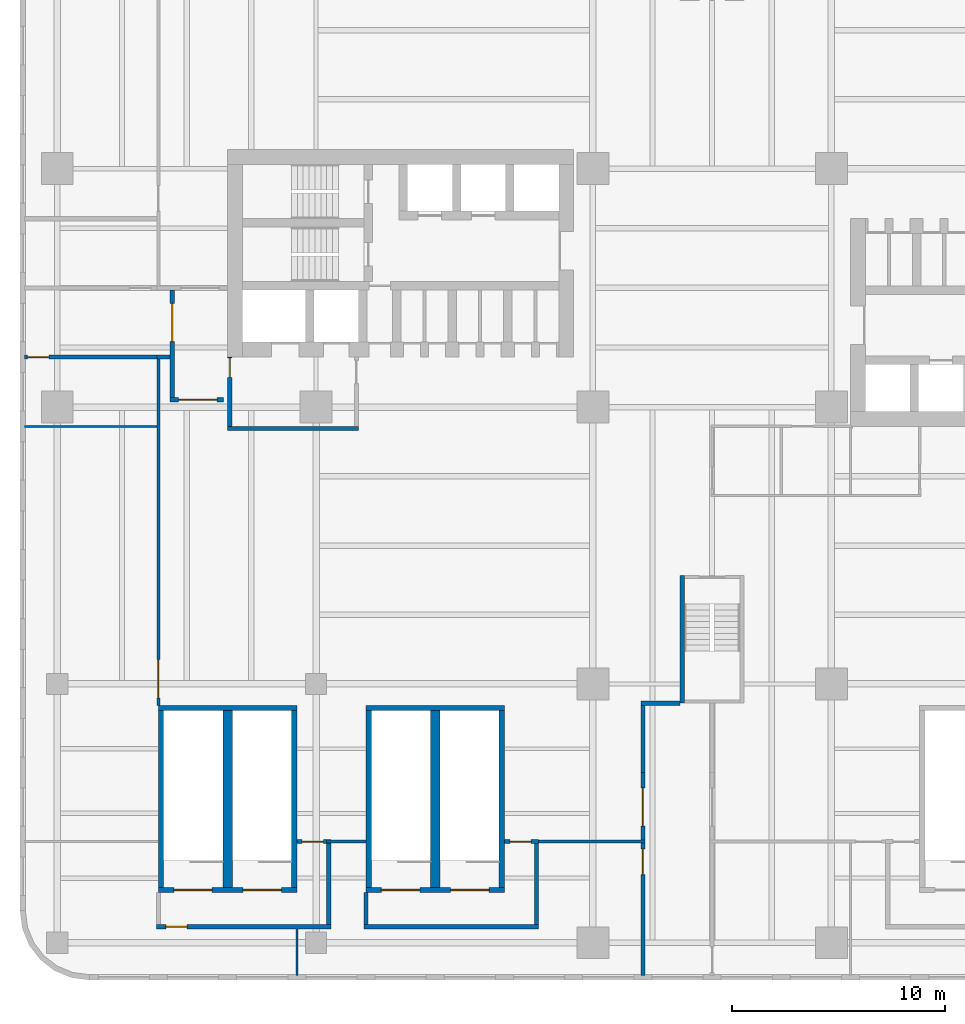
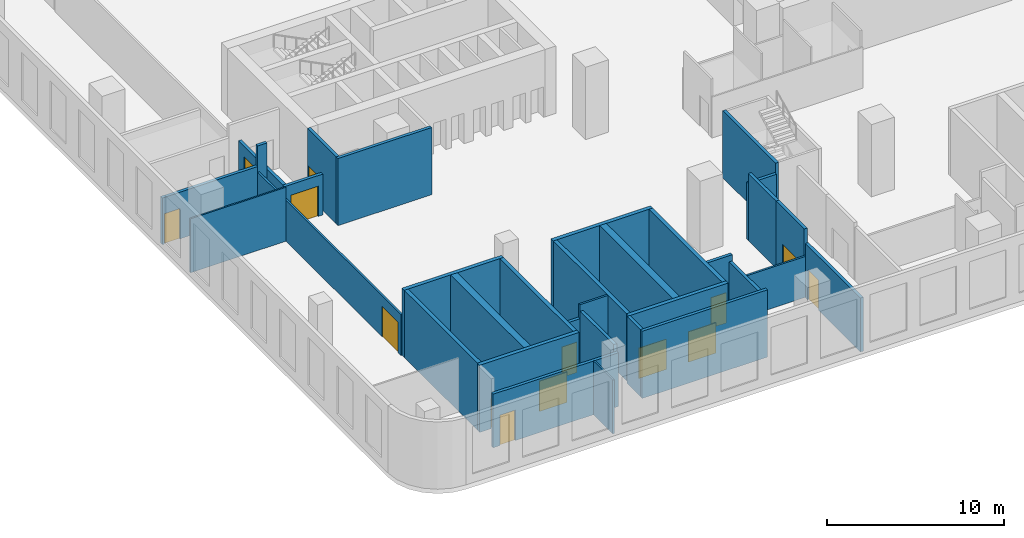
# One storey, part 4 of 13: 33 walls, 14 doors, 14 openings.
"""IFC4 building model written with IfcOpenShell, lengths in metres."""

from ifc_helpers import new_model, si_unit, direction, frame, frame_2d, origin, place, context, subcontext, project, spatial, rectangle, extrude, source, transform, mapped, material, layer, layer_set, type_object, element, fill, save


model = new_model("IFC4")

# Units and contexts
model_context = context("Model", 3, precision=1e-05, world=origin(), true_north=direction((0.0, 1.0)))
body_context = subcontext(model_context, "Body", "Model", "MODEL_VIEW")
ifc_project = project(units=[si_unit("LENGTHUNIT", "METRE"), si_unit("AREAUNIT", "SQUARE_METRE"), si_unit("VOLUMEUNIT", "CUBIC_METRE"), si_unit("PLANEANGLEUNIT", "RADIAN"), si_unit("MASSUNIT", "GRAM", prefix="KILO")], contexts=[model_context])

# Site, building, storey
site_placement = place(None, origin())
site = spatial("IfcSite", under=ifc_project, at=site_placement, CompositionType="ELEMENT")
building_placement = place(site_placement, origin())
building = spatial("IfcBuilding", under=site, at=building_placement, Name="Trellis Farm Tower", CompositionType="ELEMENT")
storey_placement = place(building_placement, frame((0.0, 0.0, 29.0)))
storey = spatial("IfcBuildingStorey", under=building, at=storey_placement, Name="L05", CompositionType="ELEMENT", Elevation=29.0)

# Wall, opening, door
ifc_material_1 = material(Name="Masonry blockwork", Category="masonry")
ifc_layer_1 = layer(ifc_material_1, 0.199951171875)
ifc_layer_set_1 = layer_set([ifc_layer_1], Name="FIRE LOBBY PARTITION 200 BLOCKWORK")
wall_type_1 = type_object("IfcWallType", Name="FIRE LOBBY PARTITION 200 BLOCKWORK", PredefinedType="PARTITIONING", material=ifc_layer_set_1)
shared_shape_1 = source(origin(), body_context, "Body", "SweptSolid", [
    extrude(rectangle(XDim=3.25, YDim=0.199951171875, at=frame_2d((1.625, 0.0))), origin(), (0.0, 0.0, 1.0), 4.64990234375),
])
wall_1_placement = place(storey_placement, frame((-22.64990234375, -3.25, 0.0), z_axis=(0.0, 0.0, 1.0), x_axis=(0.0, -1.0, 0.0)))
wall_1 = element("IfcWall", 1, at=wall_1_placement, inside=storey, type_object=wall_type_1, Name="Fire-fighting lobby partition", PredefinedType="PARTITIONING", context=body_context, shape_type="MappedRepresentation", body=[
    mapped(shared_shape_1, transform((0.0, 0.0, 0.0))),
])
shared_shape_2 = source(origin(), body_context, "Body", "SweptSolid", [
    extrude(rectangle(XDim=0.89990234375, YDim=2.10009765625, at=frame_2d((0.449951171875, 1.050048828125))), frame((0.0, 0.110107421875, 0.0), z_axis=(0.0, -1.0, 0.0), x_axis=(1.0, 0.0, 0.0)), (0.0, 0.0, 1.0), 0.22021484375),
])
opening_1_placement = place(wall_1_placement, frame((0.050048828125, 0.0, 0.0)))
opening_1 = element("IfcOpeningElement", 2, at=opening_1_placement, cuts=wall_1, Name="Opening DC94", PredefinedType="OPENING", context=body_context, shape_type="MappedRepresentation", body=[
    mapped(shared_shape_2, transform((0.0, 0.0, 0.0))),
])
ifc_material_2 = material(Name="Steel", Category="steel")
door_type_1 = type_object("IfcDoorType", Name="CORE FIRE DOOR 900 X 2100", OperationType="NOTDEFINED", PredefinedType="DOOR", material=ifc_material_2)
shared_shape_3 = source(origin(), body_context, "Body", "SweptSolid", [
    extrude(rectangle(XDim=0.89990234375, YDim=2.10009765625, at=frame_2d((0.449951171875, 1.050048828125))), frame((0.0, 0.02490234375, 0.0), z_axis=(0.0, -1.0, 0.0), x_axis=(1.0, 0.0, 0.0)), (0.0, 0.0, 1.0), 0.050048828125),
])
door_1_placement = place(opening_1_placement, origin())
door_1 = element("IfcDoor", 3, at=door_1_placement, inside=storey, type_object=door_type_1, Name="Core door", OperationType="SINGLE_SWING_RIGHT", OverallHeight=2.10009765625, OverallWidth=0.89990234375, PredefinedType="DOOR", context=body_context, shape_type="MappedRepresentation", body=[
    mapped(shared_shape_3, transform((0.0, 0.0, 0.0))),
])
fill(opening_1, door_1)

# Walls
shared_shape_4 = source(origin(), body_context, "Body", "SweptSolid", [
    extrude(rectangle(XDim=6.14990234375, YDim=0.199951171875, at=frame_2d((3.074951171875, 0.0))), origin(), (0.0, 0.0, 1.0), 4.64990234375),
])
wall_2_placement = place(storey_placement, frame((-16.60009765625, -6.60009765625, 0.0), z_axis=(0.0, 0.0, 1.0), x_axis=(-1.0, 0.0, 0.0)))
element("IfcWall", 4, at=wall_2_placement, inside=storey, type_object=wall_type_1, Name="Fire-fighting lobby partition", PredefinedType="PARTITIONING", context=body_context, shape_type="MappedRepresentation", body=[
    mapped(shared_shape_4, transform((0.0, 0.0, 0.0))),
])
ifc_material_3 = material(Name="Concrete C80/95", Category="concrete")
ifc_layer_2 = layer(ifc_material_3, 0.199951171875)
ifc_layer_set_2 = layer_set([ifc_layer_2], Name="CORE STAIR ENCLOSURE WALL 200 CONCRETE C80/95")
wall_type_2 = type_object("IfcWallType", Name="CORE STAIR ENCLOSURE WALL 200 CONCRETE C80/95", PredefinedType="SHEAR", material=ifc_layer_set_2)
shared_shape_5 = source(origin(), body_context, "Body", "SweptSolid", [
    extrude(rectangle(XDim=6.0, YDim=0.199951171875, at=frame_2d((3.0, 0.0))), origin(), (0.0, 0.0, 1.0), 4.64990234375),
])
wall_3_placement = place(storey_placement, frame((-1.39990234375, -13.5, 0.0), z_axis=(0.0, 0.0, 1.0), x_axis=(0.0, -1.0, 0.0)))
element("IfcWall", 5, at=wall_3_placement, inside=storey, type_object=wall_type_2, Name="Stair enclosure wall", PredefinedType="SHEAR", context=body_context, shape_type="MappedRepresentation", body=[
    mapped(shared_shape_5, transform((0.0, 0.0, 0.0))),
])

# Wall, openings, doors
ifc_layer_3 = layer(ifc_material_3, 0.25)
ifc_layer_set_3 = layer_set([ifc_layer_3], Name="CORE STAIR ENCLOSURE WALL 250 CONCRETE C80/95")
wall_type_3 = type_object("IfcWallType", Name="CORE STAIR ENCLOSURE WALL 250 CONCRETE C80/95", PredefinedType="SHEAR", material=ifc_layer_set_3)
shared_shape_6 = source(origin(), body_context, "Body", "SweptSolid", [
    extrude(rectangle(XDim=6.5, YDim=0.25, at=frame_2d((3.25, 0.0))), origin(), (0.0, 0.0, 1.0), 4.64990234375),
])
wall_4_placement = place(storey_placement, frame((-26.0, -28.27490234375, 0.0), z_axis=(0.0, 0.0, 1.0), x_axis=(1.0, 0.0, 0.0)))
wall_4 = element("IfcWall", 6, at=wall_4_placement, inside=storey, type_object=wall_type_3, Name="Podium stair enclosure wall", PredefinedType="SHEAR", context=body_context, shape_type="MappedRepresentation", body=[
    mapped(shared_shape_6, transform((0.0, 0.0, 0.0))),
])
shared_shape_7 = source(origin(), body_context, "Body", "SweptSolid", [
    extrude(rectangle(XDim=1.800048828125, YDim=2.10009765625, at=frame_2d((0.89990234375, 1.050048828125))), frame((0.0, 0.135009765625, 0.0), z_axis=(0.0, -1.0, 0.0), x_axis=(1.0, 0.0, 0.0)), (0.0, 0.0, 1.0), 0.27001953125),
])
opening_2_placement = place(wall_4_placement, frame((0.72509765625, 0.0, 0.0)))
opening_2 = element("IfcOpeningElement", 7, at=opening_2_placement, cuts=wall_4, Name="Opening DP9", PredefinedType="OPENING", context=body_context, shape_type="MappedRepresentation", body=[
    mapped(shared_shape_7, transform((0.0, 0.0, 0.0))),
])
opening_3_placement = place(wall_4_placement, frame((3.97509765625, 0.0, 0.0)))
opening_3 = element("IfcOpeningElement", 8, at=opening_3_placement, cuts=wall_4, Name="Opening DP10", PredefinedType="OPENING", context=body_context, shape_type="MappedRepresentation", body=[
    mapped(shared_shape_7, transform((0.0, 0.0, 0.0))),
])
door_type_2 = type_object("IfcDoorType", Name="CORE FIRE DOOR DOUBLE 1800 X 2100", OperationType="DOUBLE_DOOR_SINGLE_SWING", PredefinedType="DOOR", material=ifc_material_2)
shared_shape_8 = source(origin(), body_context, "Body", "SweptSolid", [
    extrude(rectangle(XDim=1.800048828125, YDim=2.10009765625, at=frame_2d((0.89990234375, 1.050048828125))), frame((0.0, 0.02490234375, 0.0), z_axis=(0.0, -1.0, 0.0), x_axis=(1.0, 0.0, 0.0)), (0.0, 0.0, 1.0), 0.050048828125),
])
door_2_placement = place(opening_2_placement, origin())
door_2 = element("IfcDoor", 9, at=door_2_placement, inside=storey, type_object=door_type_2, Name="Podium stair door", OperationType="DOUBLE_DOOR_SINGLE_SWING", OverallHeight=2.10009765625, OverallWidth=1.800048828125, PredefinedType="DOOR", context=body_context, shape_type="MappedRepresentation", body=[
    mapped(shared_shape_8, transform((0.0, 0.0, 0.0))),
])
fill(opening_2, door_2)
door_3_placement = place(opening_3_placement, origin())
door_3 = element("IfcDoor", 10, at=door_3_placement, inside=storey, type_object=door_type_2, Name="Podium stair door", OperationType="DOUBLE_DOOR_SINGLE_SWING", OverallHeight=2.10009765625, OverallWidth=1.800048828125, PredefinedType="DOOR", context=body_context, shape_type="MappedRepresentation", body=[
    mapped(shared_shape_8, transform((0.0, 0.0, 0.0))),
])
fill(opening_3, door_3)

# Wall
wall_5_placement = place(storey_placement, frame((-26.0, -19.72509765625, 0.0), z_axis=(0.0, 0.0, 1.0), x_axis=(1.0, 0.0, 0.0)))
element("IfcWall", 11, at=wall_5_placement, inside=storey, type_object=wall_type_3, Name="Podium stair enclosure wall", PredefinedType="SHEAR", context=body_context, shape_type="MappedRepresentation", body=[
    mapped(shared_shape_6, transform((0.0, 0.0, 0.0))),
])

# Wall, openings, doors
wall_6_placement = place(storey_placement, frame((-16.25, -28.27490234375, 0.0), z_axis=(0.0, 0.0, 1.0), x_axis=(1.0, 0.0, 0.0)))
wall_6 = element("IfcWall", 12, at=wall_6_placement, inside=storey, type_object=wall_type_3, Name="Podium stair enclosure wall", PredefinedType="SHEAR", context=body_context, shape_type="MappedRepresentation", body=[
    mapped(shared_shape_6, transform((0.0, 0.0, 0.0))),
])
opening_4_placement = place(wall_6_placement, frame((0.72509765625, 0.0, 0.0)))
opening_4 = element("IfcOpeningElement", 13, at=opening_4_placement, cuts=wall_6, Name="Opening DP11", PredefinedType="OPENING", context=body_context, shape_type="MappedRepresentation", body=[
    mapped(shared_shape_7, transform((0.0, 0.0, 0.0))),
])
opening_5_placement = place(wall_6_placement, frame((3.97509765625, 0.0, 0.0)))
opening_5 = element("IfcOpeningElement", 14, at=opening_5_placement, cuts=wall_6, Name="Opening DP12", PredefinedType="OPENING", context=body_context, shape_type="MappedRepresentation", body=[
    mapped(shared_shape_7, transform((0.0, 0.0, 0.0))),
])
door_4_placement = place(opening_4_placement, origin())
door_4 = element("IfcDoor", 15, at=door_4_placement, inside=storey, type_object=door_type_2, Name="Podium stair door", OperationType="DOUBLE_DOOR_SINGLE_SWING", OverallHeight=2.10009765625, OverallWidth=1.800048828125, PredefinedType="DOOR", context=body_context, shape_type="MappedRepresentation", body=[
    mapped(shared_shape_8, transform((0.0, 0.0, 0.0))),
])
fill(opening_4, door_4)
door_5_placement = place(opening_5_placement, origin())
door_5 = element("IfcDoor", 16, at=door_5_placement, inside=storey, type_object=door_type_2, Name="Podium stair door", OperationType="DOUBLE_DOOR_SINGLE_SWING", OverallHeight=2.10009765625, OverallWidth=1.800048828125, PredefinedType="DOOR", context=body_context, shape_type="MappedRepresentation", body=[
    mapped(shared_shape_8, transform((0.0, 0.0, 0.0))),
])
fill(opening_5, door_5)

# Walls
wall_7_placement = place(storey_placement, frame((-16.25, -19.72509765625, 0.0), z_axis=(0.0, 0.0, 1.0), x_axis=(1.0, 0.0, 0.0)))
element("IfcWall", 17, at=wall_7_placement, inside=storey, type_object=wall_type_3, Name="Podium stair enclosure wall", PredefinedType="SHEAR", context=body_context, shape_type="MappedRepresentation", body=[
    mapped(shared_shape_6, transform((0.0, 0.0, 0.0))),
])
shared_shape_9 = source(origin(), body_context, "Body", "SweptSolid", [
    extrude(rectangle(XDim=8.2998046875, YDim=0.25, at=frame_2d((4.14990234375, 0.0))), origin(), (0.0, 0.0, 1.0), 4.64990234375),
])
for number, where, z_axis, x_axis, name in (
    (18, (-25.875, -28.14990234375, 0.0), (0.0, 0.0, 1.0), (0.0, 1.0, 0.0), "Podium stair enclosure wall"),
    (19, (-19.625, -28.14990234375, 0.0), (0.0, 0.0, 1.0), (0.0, 1.0, 0.0), "Podium stair enclosure wall"),
    (20, (-16.125, -28.14990234375, 0.0), (0.0, 0.0, 1.0), (0.0, 1.0, 0.0), "Podium stair enclosure wall"),
    (21, (-9.875, -28.14990234375, 0.0), (0.0, 0.0, 1.0), (0.0, 1.0, 0.0), "Podium stair enclosure wall"),
):
    element("IfcWall", number, at=place(storey_placement, frame(where, z_axis=z_axis, x_axis=x_axis)), inside=storey, type_object=wall_type_3, Name=name, PredefinedType="SHEAR", context=body_context, shape_type="MappedRepresentation", body=[
        mapped(shared_shape_9, transform((0.0, 0.0, 0.0))),
    ])
ifc_layer_4 = layer(ifc_material_3, 0.43994140625)
ifc_layer_set_4 = layer_set([ifc_layer_4], Name="CORE STAIR ENCLOSURE WALL 440 CONCRETE C80/95")
wall_type_4 = type_object("IfcWallType", Name="CORE STAIR ENCLOSURE WALL 440 CONCRETE C80/95", PredefinedType="SHEAR", material=ifc_layer_set_4)
shared_shape_10 = source(origin(), body_context, "Body", "SweptSolid", [
    extrude(rectangle(XDim=8.2998046875, YDim=0.43994140625, at=frame_2d((4.14990234375, 0.0))), origin(), (0.0, 0.0, 1.0), 4.64990234375),
])
for number, where, z_axis, x_axis, name in (
    (22, (-22.75, -28.14990234375, 0.0), (0.0, 0.0, 1.0), (0.0, 1.0, 0.0), "Podium stair enclosure wall"),
    (23, (-13.0, -28.14990234375, 0.0), (0.0, 0.0, 1.0), (0.0, 1.0, 0.0), "Podium stair enclosure wall"),
):
    element("IfcWall", number, at=place(storey_placement, frame(where, z_axis=z_axis, x_axis=x_axis)), inside=storey, type_object=wall_type_4, Name=name, PredefinedType="SHEAR", context=body_context, shape_type="MappedRepresentation", body=[
        mapped(shared_shape_10, transform((0.0, 0.0, 0.0))),
    ])
ifc_material_4 = material(Name="Lightweight blockwork, plastered", Category="masonry")
ifc_layer_5 = layer(ifc_material_4, 0.199951171875)
ifc_layer_set_5 = layer_set([ifc_layer_5], Name="BLOCK WALL 200 EI 120")
wall_type_5 = type_object("IfcWallType", Name="BLOCK WALL 200 EI 120", PredefinedType="PARTITIONING", material=ifc_layer_set_5)
shared_shape_11 = source(origin(), body_context, "Body", "SweptSolid", [
    extrude(rectangle(XDim=1.5, YDim=0.199951171875, at=frame_2d((0.75, 0.0))), origin(), (0.0, 0.0, 1.0), 4.64990234375),
])
wall_8_placement = place(storey_placement, frame((-16.25, -28.39990234375, 0.0), z_axis=(0.0, 0.0, 1.0), x_axis=(0.0, -1.0, 0.0)))
element("IfcWall", 24, at=wall_8_placement, inside=storey, type_object=wall_type_5, Name="Partition PW3", PredefinedType="PARTITIONING", context=body_context, shape_type="MappedRepresentation", body=[
    mapped(shared_shape_11, transform((0.0, 0.0, 0.0))),
])
shared_shape_12 = source(origin(), body_context, "Body", "SweptSolid", [
    extrude(rectangle(XDim=3.7998046875, YDim=0.199951171875, at=frame_2d((1.89990234375, 0.0))), origin(), (0.0, 0.0, 1.0), 4.2236328125),
])
for number, where, z_axis, x_axis, name in (
    (25, (-18.0, -26.10009765625, 0.0), (0.0, 0.0, 1.0), (0.0, -1.0, 0.0), "Partition PW3"),
    (26, (-8.25, -26.10009765625, 0.0), (0.0, 0.0, 1.0), (0.0, -1.0, 0.0), "Partition PW3"),
):
    element("IfcWall", number, at=place(storey_placement, frame(where, z_axis=z_axis, x_axis=x_axis)), inside=storey, type_object=wall_type_5, Name=name, PredefinedType="PARTITIONING", context=body_context, shape_type="MappedRepresentation", body=[
        mapped(shared_shape_12, transform((0.0, 0.0, 0.0))),
    ])

# Wall, opening, door
shared_shape_13 = source(origin(), body_context, "Body", "SweptSolid", [
    extrude(rectangle(XDim=3.1875, YDim=0.199951171875, at=frame_2d((1.59375, 0.0))), origin(), (0.0, 0.0, 1.0), 4.64990234375),
])
wall_9_placement = place(storey_placement, frame((-3.25, -25.9375, 0.0), z_axis=(0.0, 0.0, 1.0), x_axis=(0.0, 1.0, 0.0)))
wall_9 = element("IfcWall", 27, at=wall_9_placement, inside=storey, type_object=wall_type_5, Name="Partition PW3", PredefinedType="PARTITIONING", context=body_context, shape_type="MappedRepresentation", body=[
    mapped(shared_shape_13, transform((0.0, 0.0, 0.0))),
])
shared_shape_14 = source(origin(), body_context, "Body", "SweptSolid", [
    extrude(rectangle(XDim=1.800048828125, YDim=2.10009765625, at=frame_2d((0.89990234375, 1.050048828125))), frame((0.0, 0.110107421875, 0.0), z_axis=(0.0, -1.0, 0.0), x_axis=(1.0, 0.0, 0.0)), (0.0, 0.0, 1.0), 0.22021484375),
])
opening_6_placement = place(wall_9_placement, frame((0.66259765625, 0.0, 0.0)))
opening_6 = element("IfcOpeningElement", 28, at=opening_6_placement, cuts=wall_9, Name="Opening D401", PredefinedType="OPENING", context=body_context, shape_type="MappedRepresentation", body=[
    mapped(shared_shape_14, transform((0.0, 0.0, 0.0))),
])
ifc_material_5 = material(Name="Fire-rated timber door leaf in a hollow metal frame", Category="wood")
door_type_3 = type_object("IfcDoorType", Name="DOOR PAIR 1800x2100 FD60", OperationType="NOTDEFINED", PredefinedType="DOOR", material=ifc_material_5)
door_6_placement = place(opening_6_placement, origin())
door_6 = element("IfcDoor", 29, at=door_6_placement, inside=storey, type_object=door_type_3, Name="Door D401", OperationType="DOUBLE_DOOR_SINGLE_SWING", OverallHeight=2.10009765625, OverallWidth=1.800048828125, PredefinedType="DOOR", context=body_context, shape_type="MappedRepresentation", body=[
    mapped(shared_shape_8, transform((0.0, 0.0, 0.0))),
])
fill(opening_6, door_6)

# Wall
shared_shape_15 = source(origin(), body_context, "Body", "SweptSolid", [
    extrude(rectangle(XDim=3.14990234375, YDim=0.199951171875, at=frame_2d((1.574951171875, 0.0))), origin(), (0.0, 0.0, 1.0), 4.64990234375),
])
wall_10_placement = place(storey_placement, frame((-3.25, -22.75, 0.0), z_axis=(0.0, 0.0, 1.0), x_axis=(0.0, 1.0, 0.0)))
element("IfcWall", 30, at=wall_10_placement, inside=storey, type_object=wall_type_5, Name="Partition PW3", PredefinedType="PARTITIONING", context=body_context, shape_type="MappedRepresentation", body=[
    mapped(shared_shape_15, transform((0.0, 0.0, 0.0))),
])

# Wall, opening, door
shared_shape_16 = source(origin(), body_context, "Body", "SweptSolid", [
    extrude(rectangle(XDim=6.237548828125, YDim=0.199951171875, at=frame_2d((3.11865234375, 0.0))), origin(), (0.0, 0.0, 1.0), 3.72998046875),
])
wall_11_placement = place(storey_placement, frame((-3.25, -32.300048828125, 0.0), z_axis=(0.0, 0.0, 1.0), x_axis=(0.0, 1.0, 0.0)))
wall_11 = element("IfcWall", 31, at=wall_11_placement, inside=storey, type_object=wall_type_5, Name="Partition PW3", PredefinedType="PARTITIONING", context=body_context, shape_type="MappedRepresentation", body=[
    mapped(shared_shape_16, transform((0.0, 0.0, 0.0))),
])
shared_shape_17 = source(origin(), body_context, "Body", "SweptSolid", [
    extrude(rectangle(XDim=1.199951171875, YDim=2.10009765625, at=frame_2d((0.60009765625, 1.050048828125))), frame((0.0, 0.110107421875, 0.0), z_axis=(0.0, -1.0, 0.0), x_axis=(1.0, 0.0, 0.0)), (0.0, 0.0, 1.0), 0.22021484375),
])
opening_7_placement = place(wall_11_placement, frame((4.75, 0.0, 0.0)))
opening_7 = element("IfcOpeningElement", 32, at=opening_7_placement, cuts=wall_11, Name="Opening D602", PredefinedType="OPENING", context=body_context, shape_type="MappedRepresentation", body=[
    mapped(shared_shape_17, transform((0.0, 0.0, 0.0))),
])
door_type_4 = type_object("IfcDoorType", Name="DOOR 1200x2100 FD30S", OperationType="NOTDEFINED", PredefinedType="DOOR", material=ifc_material_5)
shared_shape_18 = source(origin(), body_context, "Body", "SweptSolid", [
    extrude(rectangle(XDim=1.199951171875, YDim=2.10009765625, at=frame_2d((0.60009765625, 1.050048828125))), frame((0.0, 0.02490234375, 0.0), z_axis=(0.0, -1.0, 0.0), x_axis=(1.0, 0.0, 0.0)), (0.0, 0.0, 1.0), 0.050048828125),
])
door_7_placement = place(opening_7_placement, origin())
door_7 = element("IfcDoor", 33, at=door_7_placement, inside=storey, type_object=door_type_4, Name="Door D602", OperationType="SINGLE_SWING_RIGHT", OverallHeight=2.10009765625, OverallWidth=1.199951171875, PredefinedType="DOOR", context=body_context, shape_type="MappedRepresentation", body=[
    mapped(shared_shape_18, transform((0.0, 0.0, 0.0))),
])
fill(opening_7, door_7)

# Walls
ifc_material_6 = material(Name="Plasterboard on steel studs", Category="steel")
ifc_layer_6 = layer(ifc_material_6, 0.10009765625)
ifc_layer_set_6 = layer_set([ifc_layer_6], Name="PARTITION 100 STUD EI 30")
wall_type_6 = type_object("IfcWallType", Name="PARTITION 100 STUD EI 30", PredefinedType="PARTITIONING", material=ifc_layer_set_6)
shared_shape_19 = source(origin(), body_context, "Body", "SweptSolid", [
    extrude(rectangle(XDim=6.237548828125, YDim=0.10009765625, at=frame_2d((3.11865234375, 0.0))), origin(), (0.0, 0.0, 1.0), 3.72998046875),
])
wall_12_placement = place(storey_placement, frame((-32.300048828125, -6.5, 0.0), z_axis=(0.0, 0.0, 1.0), x_axis=(1.0, 0.0, 0.0)))
element("IfcWall", 34, at=wall_12_placement, inside=storey, type_object=wall_type_6, Name="Partition PW2", PredefinedType="PARTITIONING", context=body_context, shape_type="MappedRepresentation", body=[
    mapped(shared_shape_19, transform((0.0, 0.0, 0.0))),
])
shared_shape_20 = source(origin(), body_context, "Body", "SweptSolid", [
    extrude(rectangle(XDim=2.199951171875, YDim=0.10009765625, at=frame_2d((1.10009765625, 0.0))), origin(), (0.0, 0.0, 1.0), 3.72998046875),
])
wall_13_placement = place(storey_placement, frame((-19.5, -32.300048828125, 0.0), z_axis=(0.0, 0.0, 1.0), x_axis=(0.0, 1.0, 0.0)))
element("IfcWall", 35, at=wall_13_placement, inside=storey, type_object=wall_type_6, Name="Partition PW2", PredefinedType="PARTITIONING", context=body_context, shape_type="MappedRepresentation", body=[
    mapped(shared_shape_20, transform((0.0, 0.0, 0.0))),
])

# Wall, opening, door
shared_shape_21 = source(origin(), body_context, "Body", "SweptSolid", [
    extrude(rectangle(XDim=5.0498046875, YDim=0.199951171875, at=frame_2d((2.52490234375, 0.0))), origin(), (0.0, 0.0, 1.0), 2.830078125),
])
wall_14_placement = place(storey_placement, frame((-25.35009765625, -5.14990234375, 0.0), z_axis=(0.0, 0.0, 1.0), x_axis=(0.0, 1.0, 0.0)))
wall_14 = element("IfcWall", 36, at=wall_14_placement, inside=storey, type_object=wall_type_5, Name="Partition PW3", PredefinedType="PARTITIONING", context=body_context, shape_type="MappedRepresentation", body=[
    mapped(shared_shape_21, transform((0.0, 0.0, 0.0))),
])
opening_8_placement = place(wall_14_placement, frame((2.625, 0.0, 0.0)))
opening_8 = element("IfcOpeningElement", 37, at=opening_8_placement, cuts=wall_14, Name="Opening D404", PredefinedType="OPENING", context=body_context, shape_type="MappedRepresentation", body=[
    mapped(shared_shape_14, transform((0.0, 0.0, 0.0))),
])
door_8_placement = place(opening_8_placement, origin())
door_8 = element("IfcDoor", 38, at=door_8_placement, inside=storey, type_object=door_type_3, Name="Door D404", OperationType="DOUBLE_DOOR_SINGLE_SWING", OverallHeight=2.10009765625, OverallWidth=1.800048828125, PredefinedType="DOOR", context=body_context, shape_type="MappedRepresentation", body=[
    mapped(shared_shape_8, transform((0.0, 0.0, 0.0))),
])
fill(opening_8, door_8)

ifc_material_7 = material(Name="Plasterboard on steel studs, mineral wool", Category="steel")
ifc_layer_7 = layer(ifc_material_7, 0.125)
ifc_layer_set_7 = layer_set([ifc_layer_7], Name="PARTITION 125 STUD EI 60")
wall_type_7 = type_object("IfcWallType", Name="PARTITION 125 STUD EI 60", PredefinedType="PARTITIONING", material=ifc_layer_set_7)
shared_shape_22 = source(origin(), body_context, "Body", "SweptSolid", [
    extrude(rectangle(XDim=16.25, YDim=0.125, at=frame_2d((8.125, 0.0))), origin(), (0.0, 0.0, 1.0), 2.830078125),
])
wall_15_placement = place(storey_placement, frame((-26.0, -19.60009765625, 0.0), z_axis=(0.0, 0.0, 1.0), x_axis=(0.0, 1.0, 0.0)))
wall_15 = element("IfcWall", 39, at=wall_15_placement, inside=storey, type_object=wall_type_7, Name="Partition PW1", PredefinedType="PARTITIONING", context=body_context, shape_type="MappedRepresentation", body=[
    mapped(shared_shape_22, transform((0.0, 0.0, 0.0))),
])
shared_shape_23 = source(origin(), body_context, "Body", "SweptSolid", [
    extrude(rectangle(XDim=1.800048828125, YDim=2.10009765625, at=frame_2d((0.89990234375, 1.050048828125))), frame((0.0, 0.072509765625, 0.0), z_axis=(0.0, -1.0, 0.0), x_axis=(1.0, 0.0, 0.0)), (0.0, 0.0, 1.0), 0.14501953125),
])
opening_9_placement = place(wall_15_placement, frame((0.35009765625, 0.0, 0.0)))
opening_9 = element("IfcOpeningElement", 40, at=opening_9_placement, cuts=wall_15, Name="Opening D201", PredefinedType="OPENING", context=body_context, shape_type="MappedRepresentation", body=[
    mapped(shared_shape_23, transform((0.0, 0.0, 0.0))),
])
door_type_5 = type_object("IfcDoorType", Name="DOOR PAIR 1800x2100 FD30S", OperationType="NOTDEFINED", PredefinedType="DOOR", material=ifc_material_5)
door_9_placement = place(opening_9_placement, origin())
door_9 = element("IfcDoor", 41, at=door_9_placement, inside=storey, type_object=door_type_5, Name="Door D201", OperationType="DOUBLE_DOOR_SINGLE_SWING", OverallHeight=2.10009765625, OverallWidth=1.800048828125, PredefinedType="DOOR", context=body_context, shape_type="MappedRepresentation", body=[
    mapped(shared_shape_8, transform((0.0, 0.0, 0.0))),
])
fill(opening_9, door_9)

# Wall
shared_shape_24 = source(origin(), body_context, "Body", "SweptSolid", [
    extrude(rectangle(XDim=8.2001953125, YDim=0.199951171875, at=frame_2d((4.10009765625, 0.0))), origin(), (0.0, 0.0, 1.0), 4.64990234375),
])
wall_16_placement = place(storey_placement, frame((-16.35009765625, -30.0, 0.0), z_axis=(0.0, 0.0, 1.0), x_axis=(1.0, 0.0, 0.0)))
element("IfcWall", 42, at=wall_16_placement, inside=storey, type_object=wall_type_5, Name="Partition PW3", PredefinedType="PARTITIONING", context=body_context, shape_type="MappedRepresentation", body=[
    mapped(shared_shape_24, transform((0.0, 0.0, 0.0))),
])

# Wall, opening, door
shared_shape_25 = source(origin(), body_context, "Body", "SweptSolid", [
    extrude(rectangle(XDim=8.2001953125, YDim=0.199951171875, at=frame_2d((4.10009765625, 0.0))), origin(), (0.0, 0.0, 1.0), 3.711669921875),
])
wall_17_placement = place(storey_placement, frame((-26.10009765625, -30.0, 0.0), z_axis=(0.0, 0.0, 1.0), x_axis=(1.0, 0.0, 0.0)))
wall_17 = element("IfcWall", 43, at=wall_17_placement, inside=storey, type_object=wall_type_5, Name="Partition PW3", PredefinedType="PARTITIONING", context=body_context, shape_type="MappedRepresentation", body=[
    mapped(shared_shape_25, transform((0.0, 0.0, 0.0))),
])
shared_shape_26 = source(origin(), body_context, "Body", "SweptSolid", [
    extrude(rectangle(XDim=1.0, YDim=2.10009765625, at=frame_2d((0.5, 1.050048828125))), frame((0.0, 0.110107421875, 0.0), z_axis=(0.0, -1.0, 0.0), x_axis=(1.0, 0.0, 0.0)), (0.0, 0.0, 1.0), 0.22021484375),
])
opening_10_placement = place(wall_17_placement, frame((0.449951171875, 0.0, 0.0)))
opening_10 = element("IfcOpeningElement", 44, at=opening_10_placement, cuts=wall_17, Name="Opening D101", PredefinedType="OPENING", context=body_context, shape_type="MappedRepresentation", body=[
    mapped(shared_shape_26, transform((0.0, 0.0, 0.0))),
])
door_type_6 = type_object("IfcDoorType", Name="DOOR 1000x2100 FD30S", OperationType="NOTDEFINED", PredefinedType="DOOR", material=ifc_material_5)
shared_shape_27 = source(origin(), body_context, "Body", "SweptSolid", [
    extrude(rectangle(XDim=1.0, YDim=2.10009765625, at=frame_2d((0.5, 1.050048828125))), frame((0.0, 0.02490234375, 0.0), z_axis=(0.0, -1.0, 0.0), x_axis=(1.0, 0.0, 0.0)), (0.0, 0.0, 1.0), 0.050048828125),
])
door_10_placement = place(opening_10_placement, origin())
door_10 = element("IfcDoor", 45, at=door_10_placement, inside=storey, type_object=door_type_6, Name="Door D101", OperationType="SINGLE_SWING_LEFT", OverallHeight=2.10009765625, OverallWidth=1.0, PredefinedType="DOOR", context=body_context, shape_type="MappedRepresentation", body=[
    mapped(shared_shape_27, transform((0.0, 0.0, 0.0))),
])
fill(opening_10, door_10)

shared_shape_28 = source(origin(), body_context, "Body", "SweptSolid", [
    extrude(rectangle(XDim=1.60009765625, YDim=0.199951171875, at=frame_2d((0.800048828125, 0.0))), origin(), (0.0, 0.0, 1.0), 4.64990234375),
])
wall_18_placement = place(storey_placement, frame((-9.75, -26.0, 0.0), z_axis=(0.0, 0.0, 1.0), x_axis=(1.0, 0.0, 0.0)))
wall_18 = element("IfcWall", 46, at=wall_18_placement, inside=storey, type_object=wall_type_5, Name="Partition PW3", PredefinedType="PARTITIONING", context=body_context, shape_type="MappedRepresentation", body=[
    mapped(shared_shape_28, transform((0.0, 0.0, 0.0))),
])
opening_11_placement = place(wall_18_placement, frame((0.25, 0.0, 0.0)))
opening_11 = element("IfcOpeningElement", 47, at=opening_11_placement, cuts=wall_18, Name="Opening D302", PredefinedType="OPENING", context=body_context, shape_type="MappedRepresentation", body=[
    mapped(shared_shape_26, transform((0.0, 0.0, 0.0))),
])
door_type_7 = type_object("IfcDoorType", Name="DOOR 1000x2100 FD60", OperationType="NOTDEFINED", PredefinedType="DOOR", material=ifc_material_5)
door_11_placement = place(opening_11_placement, origin())
door_11 = element("IfcDoor", 48, at=door_11_placement, inside=storey, type_object=door_type_7, Name="Door D302", OperationType="SINGLE_SWING_LEFT", OverallHeight=2.10009765625, OverallWidth=1.0, PredefinedType="DOOR", context=body_context, shape_type="MappedRepresentation", body=[
    mapped(shared_shape_27, transform((0.0, 0.0, 0.0))),
])
fill(opening_11, door_11)

shared_shape_29 = source(origin(), body_context, "Body", "SweptSolid", [
    extrude(rectangle(XDim=1.60009765625, YDim=0.199951171875, at=frame_2d((0.800048828125, 0.0))), origin(), (0.0, 0.0, 1.0), 3.711669921875),
])
wall_19_placement = place(storey_placement, frame((-19.5, -26.0, 0.0), z_axis=(0.0, 0.0, 1.0), x_axis=(1.0, 0.0, 0.0)))
wall_19 = element("IfcWall", 49, at=wall_19_placement, inside=storey, type_object=wall_type_5, Name="Partition PW3", PredefinedType="PARTITIONING", context=body_context, shape_type="MappedRepresentation", body=[
    mapped(shared_shape_29, transform((0.0, 0.0, 0.0))),
])
opening_12_placement = place(wall_19_placement, frame((0.25, 0.0, 0.0)))
opening_12 = element("IfcOpeningElement", 50, at=opening_12_placement, cuts=wall_19, Name="Opening D301", PredefinedType="OPENING", context=body_context, shape_type="MappedRepresentation", body=[
    mapped(shared_shape_26, transform((0.0, 0.0, 0.0))),
])
door_12_placement = place(opening_12_placement, origin())
door_12 = element("IfcDoor", 51, at=door_12_placement, inside=storey, type_object=door_type_7, Name="Door D301", OperationType="SINGLE_SWING_LEFT", OverallHeight=2.10009765625, OverallWidth=1.0, PredefinedType="DOOR", context=body_context, shape_type="MappedRepresentation", body=[
    mapped(shared_shape_27, transform((0.0, 0.0, 0.0))),
])
fill(opening_12, door_12)

# Wall
shared_shape_30 = source(origin(), body_context, "Body", "SweptSolid", [
    extrude(rectangle(XDim=1.85009765625, YDim=0.125, at=frame_2d((0.925048828125, 0.0))), origin(), (0.0, 0.0, 1.0), 4.64990234375),
])
wall_20_placement = place(storey_placement, frame((-16.25, -26.0, 0.0), z_axis=(0.0, 0.0, 1.0), x_axis=(-1.0, 0.0, 0.0)))
element("IfcWall", 52, at=wall_20_placement, inside=storey, type_object=wall_type_7, Name="Partition PW1", PredefinedType="PARTITIONING", context=body_context, shape_type="MappedRepresentation", body=[
    mapped(shared_shape_30, transform((0.0, 0.0, 0.0))),
])

# Wall, opening, door
shared_shape_31 = source(origin(), body_context, "Body", "SweptSolid", [
    extrude(rectangle(XDim=6.362548828125, YDim=0.199951171875, at=frame_2d((3.18115234375, 0.0))), origin(), (0.0, 0.0, 1.0), 3.22998046875),
])
wall_21_placement = place(storey_placement, frame((-25.9375, -3.25, 0.0), z_axis=(0.0, 0.0, 1.0), x_axis=(-1.0, 0.0, 0.0)))
wall_21 = element("IfcWall", 53, at=wall_21_placement, inside=storey, type_object=wall_type_5, Name="Partition PW3", PredefinedType="PARTITIONING", context=body_context, shape_type="MappedRepresentation", body=[
    mapped(shared_shape_31, transform((0.0, 0.0, 0.0))),
])
opening_13_placement = place(wall_21_placement, frame((5.21240234375, 0.0, 0.0)))
opening_13 = element("IfcOpeningElement", 54, at=opening_13_placement, cuts=wall_21, Name="Opening D105", PredefinedType="OPENING", context=body_context, shape_type="MappedRepresentation", body=[
    mapped(shared_shape_26, transform((0.0, 0.0, 0.0))),
])
door_13_placement = place(opening_13_placement, origin())
door_13 = element("IfcDoor", 55, at=door_13_placement, inside=storey, type_object=door_type_6, Name="Door D105", OperationType="SINGLE_SWING_RIGHT", OverallHeight=2.10009765625, OverallWidth=1.0, PredefinedType="DOOR", context=body_context, shape_type="MappedRepresentation", body=[
    mapped(shared_shape_27, transform((0.0, 0.0, 0.0))),
])
fill(opening_13, door_13)

# Wall
shared_shape_32 = source(origin(), body_context, "Body", "SweptSolid", [
    extrude(rectangle(XDim=0.612548828125, YDim=0.199951171875, at=frame_2d((0.30615234375, 0.0))), origin(), (0.0, 0.0, 1.0), 4.64990234375),
])
wall_22_placement = place(storey_placement, frame((-26.0625, -3.25, 0.0), z_axis=(0.0, 0.0, 1.0), x_axis=(1.0, 0.0, 0.0)))
element("IfcWall", 56, at=wall_22_placement, inside=storey, type_object=wall_type_5, Name="Partition PW3", PredefinedType="PARTITIONING", context=body_context, shape_type="MappedRepresentation", body=[
    mapped(shared_shape_32, transform((0.0, 0.0, 0.0))),
])

# Wall, opening, door
shared_shape_33 = source(origin(), body_context, "Body", "SweptSolid", [
    extrude(rectangle(XDim=2.5, YDim=0.199951171875, at=frame_2d((1.25, 0.0))), origin(), (0.0, 0.0, 1.0), 2.830078125),
])
wall_23_placement = place(storey_placement, frame((-22.949951171875, -5.25, 0.0), z_axis=(0.0, 0.0, 1.0), x_axis=(-1.0, 0.0, 0.0)))
wall_23 = element("IfcWall", 57, at=wall_23_placement, inside=storey, type_object=wall_type_5, Name="Partition PW3", PredefinedType="PARTITIONING", context=body_context, shape_type="MappedRepresentation", body=[
    mapped(shared_shape_33, transform((0.0, 0.0, 0.0))),
])
opening_14_placement = place(wall_23_placement, frame((0.300048828125, 0.0, 0.0)))
opening_14 = element("IfcOpeningElement", 58, at=opening_14_placement, cuts=wall_23, Name="Opening D403", PredefinedType="OPENING", context=body_context, shape_type="MappedRepresentation", body=[
    mapped(shared_shape_14, transform((0.0, 0.0, 0.0))),
])
door_14_placement = place(opening_14_placement, origin())
door_14 = element("IfcDoor", 59, at=door_14_placement, inside=storey, type_object=door_type_3, Name="Door D403", OperationType="DOUBLE_DOOR_SINGLE_SWING", OverallHeight=2.10009765625, OverallWidth=1.800048828125, PredefinedType="DOOR", context=body_context, shape_type="MappedRepresentation", body=[
    mapped(shared_shape_8, transform((0.0, 0.0, 0.0))),
])
fill(opening_14, door_14)

# Walls
shared_shape_34 = source(origin(), body_context, "Body", "SweptSolid", [
    extrude(rectangle(XDim=1.85009765625, YDim=0.199951171875, at=frame_2d((0.925048828125, 0.0))), origin(), (0.0, 0.0, 1.0), 3.946533203125),
])
wall_24_placement = place(storey_placement, frame((-3.35009765625, -19.5, 0.0), z_axis=(0.0, 0.0, 1.0), x_axis=(1.0, 0.0, 0.0)))
element("IfcWall", 60, at=wall_24_placement, inside=storey, type_object=wall_type_5, Name="Partition PW3", PredefinedType="PARTITIONING", context=body_context, shape_type="MappedRepresentation", body=[
    mapped(shared_shape_34, transform((0.0, 0.0, 0.0))),
])
shared_shape_35 = source(origin(), body_context, "Body", "SweptSolid", [
    extrude(rectangle(XDim=5.2001953125, YDim=0.125, at=frame_2d((2.60009765625, 0.0))), origin(), (0.0, 0.0, 1.0), 2.830078125),
])
wall_25_placement = place(storey_placement, frame((-3.14990234375, -26.0, 0.0), z_axis=(0.0, 0.0, 1.0), x_axis=(-1.0, 0.0, 0.0)))
element("IfcWall", 61, at=wall_25_placement, inside=storey, type_object=wall_type_7, Name="Partition PW1", PredefinedType="PARTITIONING", context=body_context, shape_type="MappedRepresentation", body=[
    mapped(shared_shape_35, transform((0.0, 0.0, 0.0))),
])

save(model, "model.ifc")
